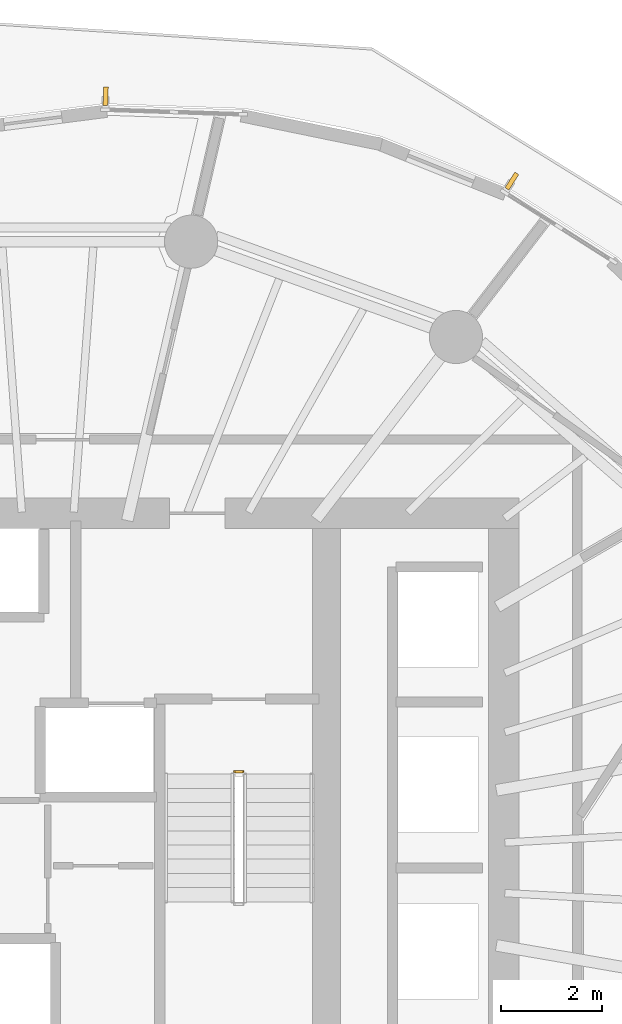
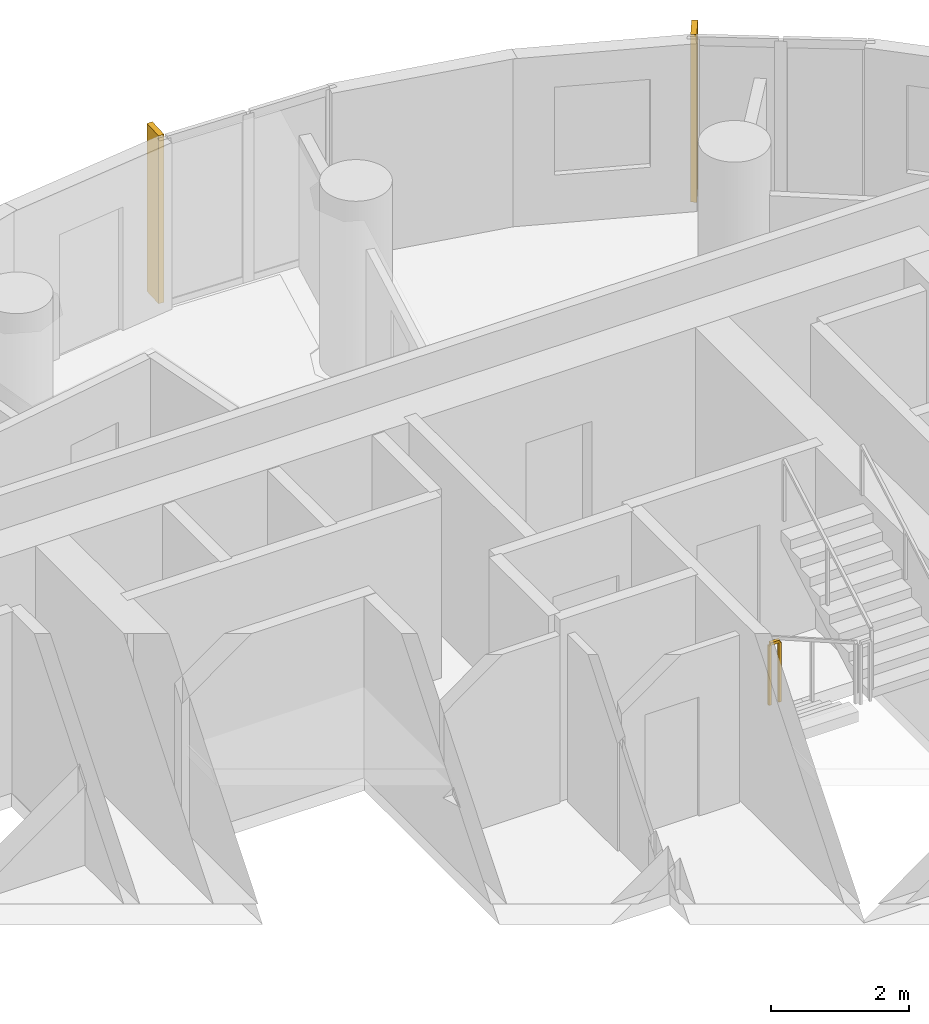
# One storey, part 13 of 13: 2 shading devices, 1 railing.
"""IFC4 building model written with IfcOpenShell, lengths in metres."""

from ifc_helpers import new_model, si_unit, direction, frame, origin, origin_2d, place, context, subcontext, project, spatial, rectangle, extrude, material, layer, layer_set, type_object, element, save


model = new_model("IFC4")

# Units and contexts
model_context = context("Model", 3, precision=1e-05, world=origin(), true_north=direction((0.0, 1.0)))
body_context = subcontext(model_context, "Body", "Model", "MODEL_VIEW")
ifc_project = project(units=[si_unit("LENGTHUNIT", "METRE"), si_unit("AREAUNIT", "SQUARE_METRE"), si_unit("VOLUMEUNIT", "CUBIC_METRE"), si_unit("PLANEANGLEUNIT", "RADIAN"), si_unit("MASSUNIT", "GRAM", prefix="KILO")], contexts=[model_context])

# Site, building, storey
site_placement = place(None, origin())
site = spatial("IfcSite", under=ifc_project, at=site_placement, CompositionType="ELEMENT")
building_placement = place(site_placement, origin())
building = spatial("IfcBuilding", under=site, at=building_placement, Name="Veldorim Arch Residences", CompositionType="ELEMENT")
storey_placement = place(building_placement, frame((0.0, 0.0, 120.159912109375)))
storey = spatial("IfcBuildingStorey", under=building, at=storey_placement, Name="L35", CompositionType="ELEMENT", Elevation=120.159912109375)

# Railing
ifc_material_1 = material(Name="Steel S355", Category="steel")
railing_type = type_object("IfcRailingType", Name="Galvanised Steel Stair Safety Guardrail 1100", PredefinedType="GUARDRAIL", material=ifc_material_1)
railing_placement = place(storey_placement, frame((35.68994140625, 25.89990234375, 0.0)))
element("IfcRailing", 1, at=railing_placement, inside=storey, type_object=railing_type, Name="L35 ST-2 stair guard 4", PredefinedType="GUARDRAIL", context=body_context, shape_type="SweptSolid", body=[
    extrude(rectangle(XDim=0.048095703125, YDim=0.048095703125, at=origin_2d()), frame((0.0, 0.0, 1.076171875), z_axis=(1.0, 0.0, 0.0), x_axis=(0.0, 1.0, 0.0)), (0.0, 0.0, 1.0), 0.16015625),
    extrude(rectangle(XDim=0.0419921875, YDim=0.0419921875, at=origin_2d()), origin(), (0.0, 0.0, 1.0), 1.052001953125),
    extrude(rectangle(XDim=0.0419921875, YDim=0.0419921875, at=origin_2d()), frame((0.16015625, 0.0, 0.0)), (0.0, 0.0, 1.0), 1.052001953125),
])

# Shading devices
ifc_material_2 = material(Name="Terracotta Ceramic", Category="masonry")
ifc_layer = layer(ifc_material_2, 0.090087890625, Name="Vertical Extruded Terracotta Baguette Sun-Shading Fin")
ifc_layer_set = layer_set([ifc_layer], Name="Terracotta Ceramic")
shading_device_type = type_object("IfcShadingDeviceType", Name="Vertical Extruded Terracotta Baguette Sun-Shading Fin", PredefinedType="USERDEFINED", material=ifc_layer_set)
for number, where, z_axis, x_axis, name in (
    (2, (41.159423828125, 37.5537109375, 0.0), (0.0, 0.0, 1.0), (0.844327925502, -0.535826794979, 0.0), "L35 vertical terracotta sun-shading fin 03"),
    (3, (33.142578125, 39.22802734375, 0.0), (0.0, 0.0, 1.0), (0.999432718929, -0.033678484729, 0.0), "L35 vertical terracotta sun-shading fin 06"),
):
    element("IfcShadingDevice", number, at=place(storey_placement, frame(where, z_axis=z_axis, x_axis=x_axis)), inside=storey, type_object=shading_device_type, Name=name, ObjectType="FIN", PredefinedType="USERDEFINED", context=body_context, shape_type="SweptSolid", body=[
        extrude(rectangle(XDim=0.090087890625, YDim=0.360107421875, at=origin_2d()), origin(), (0.0, 0.0, 1.0), 2.9599609375),
    ])

save(model, "model.ifc")
